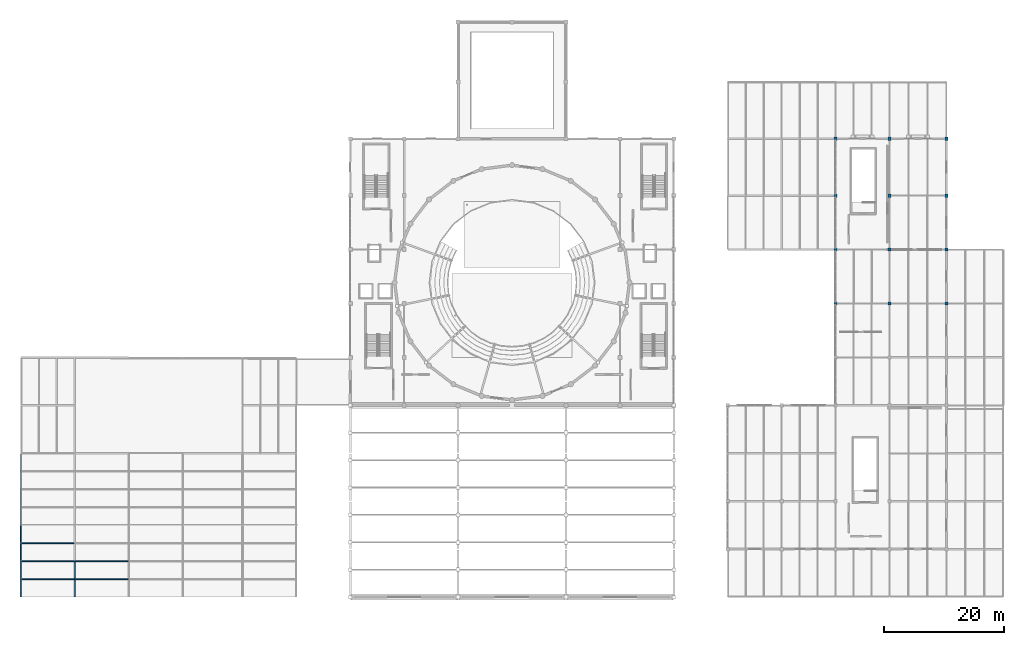
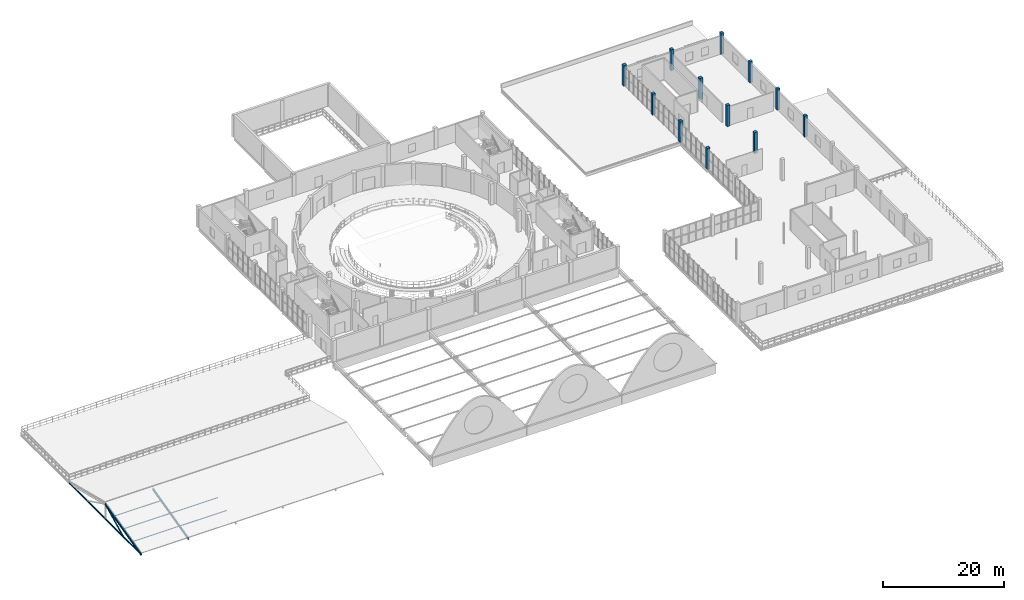
# One storey, part 5 of 54: 12 columns, 7 members, 2 beams.
"""IFC4 building model written with IfcOpenShell, lengths in metres."""

import ifcopenshell
import ifcopenshell.guid

model = None  # the IFC model being written
_history = None  # IfcOwnerHistory: only IFC2X3 demands one
_inside = {}  # id of a spatial element -> (the spatial element, [elements in it])
_under = {}  # id of a project, library or spatial element -> (it, [spatial elements below it])
_declared = {}  # id of a project -> (the project, [libraries it declares])
_typed = {}  # id of a type object -> (the type object, [elements of that type])
_made_of = {}  # id of a material, layer set ... -> (it, [elements and type objects made of it])


def new_model(schema):
    """Start an empty IFC model of exactly this schema.

    Asked for "IFC4X3", IfcOpenShell would pick the latest addendum, in which some entities
    have other attributes; the version numbers below select the first issue.
    IFC2X3 requires an IfcOwnerHistory on every rooted entity: one is made here for all.
    """
    global model, _history
    if schema == "IFC4X3":
        model = ifcopenshell.file(schema_version=(4, 3, 0, 0))
    else:
        model = ifcopenshell.file(schema=schema)
    _inside.clear()
    _under.clear()
    _declared.clear()
    _typed.clear()
    _made_of.clear()
    _history = None
    if model.schema == "IFC2X3":
        org = make("IfcOrganization", Name="unknown")
        user = make(
            "IfcPersonAndOrganization",
            ThePerson=make("IfcPerson", FamilyName="unknown"),
            TheOrganization=org,
        )
        app = make(
            "IfcApplication",
            ApplicationDeveloper=org,
            Version="unknown",
            ApplicationFullName="unknown",
            ApplicationIdentifier="unknown",
        )
        _history = make(
            "IfcOwnerHistory",
            OwningUser=user,
            OwningApplication=app,
            ChangeAction="ADDED",
            CreationDate=0,
        )
    return model


def make(cls, **values):
    """One entity of the class cls with the attributes given. An attribute that is None is left unset."""
    return model.create_entity(
        cls, **{name: value for name, value in values.items() if value is not None}
    )


def rooted(cls, **values):
    """An entity with a GlobalId (a new one), such as an element, a storey or a relation."""
    return make(cls, GlobalId=ifcopenshell.guid.new(), OwnerHistory=_history, **values)


def si_unit(unit_type, name, prefix=None):
    """IfcSIUnit, for example si_unit("LENGTHUNIT", "METRE", prefix="MILLI")."""
    return make("IfcSIUnit", UnitType=unit_type, Prefix=prefix, Name=name)


def assignment(units):
    """IfcUnitAssignment: the units of a project."""
    return None if units is None else make("IfcUnitAssignment", Units=units)


def point(xyz):
    """IfcCartesianPoint."""
    return None if xyz is None else make("IfcCartesianPoint", Coordinates=xyz)


def direction(xyz):
    """IfcDirection."""
    return None if xyz is None else make("IfcDirection", DirectionRatios=xyz)


def frame(location, z_axis=None, x_axis=None):
    """IfcAxis2Placement3D, a coordinate frame: its origin and axes. An axis left out is left unset."""
    return make(
        "IfcAxis2Placement3D",
        Location=point(location),
        Axis=direction(z_axis),
        RefDirection=direction(x_axis),
    )


def frame_2d(location, x_axis=None):
    """IfcAxis2Placement2D, a coordinate frame in the plane: its origin and x axis."""
    return make(
        "IfcAxis2Placement2D", Location=point(location), RefDirection=direction(x_axis)
    )


def origin():
    """The frame at (0, 0, 0) with its axes left unset."""
    return frame((0.0, 0.0, 0.0))


def origin_2d():
    """The frame at (0, 0) in the plane with its x axis left unset."""
    return frame_2d((0.0, 0.0))


def place(relative_to, where):
    """IfcLocalPlacement: puts the frame where relative to a parent placement (None: the world)."""
    return make(
        "IfcLocalPlacement", PlacementRelTo=relative_to, RelativePlacement=where
    )


def context(
    kind, dimensions, precision=None, world=None, true_north=None, identifier=None
):
    """IfcGeometricRepresentationContext, for example the 3D "Model" context."""
    return make(
        "IfcGeometricRepresentationContext",
        ContextIdentifier=identifier,
        ContextType=kind,
        CoordinateSpaceDimension=dimensions,
        Precision=precision,
        WorldCoordinateSystem=world,
        TrueNorth=true_north,
    )


def subcontext(parent, identifier, kind, view, scale=None):
    """IfcGeometricRepresentationSubContext, for example "Body" below "Model"."""
    return make(
        "IfcGeometricRepresentationSubContext",
        ContextIdentifier=identifier,
        ContextType=kind,
        ParentContext=parent,
        TargetScale=scale,
        TargetView=view,
    )


def project(units=None, contexts=None):
    """IfcProject with its units and contexts."""
    return rooted(
        "IfcProject",
        Name="project",
        RepresentationContexts=contexts,
        UnitsInContext=assignment(units),
    )


def spatial(cls, under=None, at=None, **own):
    """A site, building, storey or space (cls), placed at a placement, below another one or the project."""
    s = rooted(cls, ObjectPlacement=at, **own)
    if under is not None:
        _under.setdefault(under.id(), (under, []))[1].append(s)
    return s


def profile(cls, at=None, kind="AREA", **sizes):
    """A parametric profile (cls). Its sizes go by their IFC names, for example OverallWidth=200.0."""
    return make(cls, ProfileType=kind, Position=at, **sizes)


def rectangle(**sizes):
    """IfcRectangleProfileDef."""
    return profile("IfcRectangleProfileDef", **sizes)


def hollow_rectangle(**sizes):
    """IfcRectangleHollowProfileDef."""
    return profile("IfcRectangleHollowProfileDef", **sizes)


def hollow_circle(**sizes):
    """IfcCircleHollowProfileDef."""
    return profile("IfcCircleHollowProfileDef", **sizes)


def i_section(**sizes):
    """IfcIShapeProfileDef."""
    return profile("IfcIShapeProfileDef", **sizes)


def extrude(swept, where, along, depth):
    """IfcExtrudedAreaSolid: the profile swept, set in the frame where, extruded along a direction by depth."""
    return make(
        "IfcExtrudedAreaSolid",
        SweptArea=swept,
        Position=where,
        ExtrudedDirection=direction(along),
        Depth=depth,
    )


def shape(context_of_items, identifier, shape_type, items):
    """IfcShapeRepresentation: the items that make up one representation, for example the "Body"."""
    return make(
        "IfcShapeRepresentation",
        ContextOfItems=context_of_items,
        RepresentationIdentifier=identifier,
        RepresentationType=shape_type,
        Items=items,
    )


def material(Name=None, Category=None):
    """IfcMaterial."""
    return make("IfcMaterial", Name=Name, Category=Category)


def material_profile(
    of_material, cross_section, Name=None, Category=None, Priority=None
):
    """IfcMaterialProfile: a cross section and its material."""
    return make(
        "IfcMaterialProfile",
        Name=Name,
        Material=of_material,
        Profile=cross_section,
        Priority=Priority,
        Category=Category,
    )


def profile_set(profiles, Name=None, composite=None):
    """IfcMaterialProfileSet."""
    return make(
        "IfcMaterialProfileSet",
        Name=Name,
        MaterialProfiles=profiles,
        CompositeProfile=composite,
    )


def made_of(thing, what):
    """Note that an element or type object is made of a material, layer set ...; save() writes the relation."""
    if what is not None:
        _made_of.setdefault(what.id(), (what, []))[1].append(thing)
    return thing


def type_object(cls, material=None, **own):
    """A type object (cls), such as IfcWallType, which elements share."""
    return made_of(rooted(cls, **own), material)


def element(
    cls,
    number,
    at=None,
    inside=None,
    cuts=None,
    type_object=None,
    material=None,
    context=None,
    identifier="Body",
    shape_type=None,
    held_by="IfcProductDefinitionShape",
    body=None,
    shapes=None,
    **own,
):
    """One element of the class cls, such as IfcWall. Its Tag is "e" and its number.

    at: its placement. inside: the storey or other place that contains it. cuts: it is an
    opening in that element (IfcRelVoidsElement). A single representation is given by context,
    identifier, shape_type and body (its items); several are given by shapes. held_by: the class
    of the entity that holds the representations. save() writes the other relations.
    """
    e = rooted(cls, Tag="e%d" % number, ObjectPlacement=at, **own)
    if body is not None:
        shapes = [shape(context, identifier, shape_type, body)]
    if shapes is not None:
        e.Representation = make(held_by, Representations=shapes)
    if inside is not None:
        _inside.setdefault(inside.id(), (inside, []))[1].append(e)
    if cuts is not None:
        rooted(
            "IfcRelVoidsElement", RelatingBuildingElement=cuts, RelatedOpeningElement=e
        )
    if type_object is not None:
        _typed.setdefault(type_object.id(), (type_object, []))[1].append(e)
    return made_of(e, material)


def aggregate(whole, parts):
    """IfcRelAggregates: a whole, such as a stair, and the parts it consists of."""
    return rooted("IfcRelAggregates", RelatingObject=whole, RelatedObjects=parts)


def save(model, path):
    """Write the relations noted so far, then the file.

    IfcRelAggregates (storeys below a building ...), IfcRelContainedInSpatialStructure (elements
    in a storey), IfcRelDefinesByType, IfcRelAssociatesMaterial and IfcRelDeclares: one each for
    every whole, place, type object, material and project.
    """
    for whole, parts in _under.values():
        aggregate(whole, parts)
    for where, things in _inside.values():
        rooted(
            "IfcRelContainedInSpatialStructure",
            RelatedElements=things,
            RelatingStructure=where,
        )
    for kind, things in _typed.values():
        rooted("IfcRelDefinesByType", RelatedObjects=things, RelatingType=kind)
    for what, things in _made_of.values():
        rooted("IfcRelAssociatesMaterial", RelatedObjects=things, RelatingMaterial=what)
    for by, libraries in _declared.values():
        rooted("IfcRelDeclares", RelatingContext=by, RelatedDefinitions=libraries)
    model.write(path)


model = new_model("IFC4")

# Units and contexts
model_context = context("Model", 3, precision=1e-05, world=origin(), true_north=direction((0.0, 1.0)))
body_context = subcontext(model_context, "Body", "Model", "MODEL_VIEW")
ifc_project = project(units=[si_unit("LENGTHUNIT", "METRE"), si_unit("AREAUNIT", "SQUARE_METRE"), si_unit("VOLUMEUNIT", "CUBIC_METRE"), si_unit("PLANEANGLEUNIT", "RADIAN"), si_unit("MASSUNIT", "GRAM", prefix="KILO")], contexts=[model_context])

# Site, building, storey
site_placement = place(None, origin())
site = spatial("IfcSite", under=ifc_project, at=site_placement, CompositionType="ELEMENT")
building_placement = place(site_placement, origin())
building = spatial("IfcBuilding", under=site, at=building_placement, Name="Marnock Terrace Opera House", CompositionType="ELEMENT")
storey_placement = place(building_placement, frame((0.0, 0.0, 19.199951171875)))
storey = spatial("IfcBuildingStorey", under=building, at=storey_placement, Name="L04", CompositionType="ELEMENT", Elevation=19.199951171875)

# Columns
ifc_material_1 = material(Name="Concrete N40 (f'c = 40 MPa)", Category="concrete")
ifc_material_profile_1 = material_profile(ifc_material_1, rectangle(XDim=0.550048828125, YDim=0.550048828125, at=origin_2d()))
ifc_profile_set_1 = profile_set([ifc_material_profile_1], Name="Concrete N40 (f'c = 40 MPa)")
column_type = type_object("IfcColumnType", Name="COL-RC550", PredefinedType="COLUMN", material=ifc_profile_set_1)
for number, where, z_axis, x_axis, name in (
    (1, (136.0, 57.0, 0.0), (0.0, 0.0, 1.0), (1.0, 0.0, 0.0), "L04 column at (136.0, 57.0)"),
    (2, (136.0, 66.0, 0.0), (0.0, 0.0, 1.0), (1.0, 0.0, 0.0), "L04 column at (136.0, 66.0)"),
    (3, (136.0, 75.0, 0.0), (0.0, 0.0, 1.0), (1.0, 0.0, 0.0), "L04 column at (136.0, 75.0)"),
    (4, (136.0, 84.5, 0.0), (0.0, 0.0, 1.0), (1.0, 0.0, 0.0), "L04 column at (136.0, 84.5)"),
    (5, (145.0, 57.0, 0.0), (0.0, 0.0, 1.0), (1.0, 0.0, 0.0), "L04 column at (145.0, 57.0)"),
    (6, (145.0, 66.0, 0.0), (0.0, 0.0, 1.0), (1.0, 0.0, 0.0), "L04 column at (145.0, 66.0)"),
    (7, (145.0, 75.0, 0.0), (0.0, 0.0, 1.0), (1.0, 0.0, 0.0), "L04 column at (145.0, 75.0)"),
    (8, (145.0, 84.5, 0.0), (0.0, 0.0, 1.0), (1.0, 0.0, 0.0), "L04 column at (145.0, 84.5)"),
    (9, (154.5, 57.0, 0.0), (0.0, 0.0, 1.0), (1.0, 0.0, 0.0), "L04 column at (154.5, 57.0)"),
    (10, (154.5, 66.0, 0.0), (0.0, 0.0, 1.0), (1.0, 0.0, 0.0), "L04 column at (154.5, 66.0)"),
    (11, (154.5, 75.0, 0.0), (0.0, 0.0, 1.0), (1.0, 0.0, 0.0), "L04 column at (154.5, 75.0)"),
    (12, (154.5, 84.5, 0.0), (0.0, 0.0, 1.0), (1.0, 0.0, 0.0), "L04 column at (154.5, 84.5)"),
):
    element("IfcColumn", number, at=place(storey_placement, frame(where, z_axis=z_axis, x_axis=x_axis)), inside=storey, type_object=column_type, Name=name, PredefinedType="COLUMN", context=body_context, shape_type="SweptSolid", body=[
        extrude(rectangle(XDim=0.550048828125, YDim=0.550048828125, at=origin_2d()), origin(), (0.0, 0.0, 1.0), 4.25),
    ])

# Beams
ifc_material_2 = material(Name="Steel Grade 350 (AS/NZS 3679.1)", Category="steel")
ifc_material_profile_2 = material_profile(ifc_material_2, i_section(OverallWidth=0.19091796875, OverallDepth=0.46044921875, WebThickness=0.010009765625, FlangeThickness=0.01611328125, FilletRadius=0.011474609375, at=origin_2d()))
ifc_profile_set_2 = profile_set([ifc_material_profile_2], Name="Steel Grade 350 (AS/NZS 3679.1)")
beam_type = type_object("IfcBeamType", Name="BM-GIRD-460A", PredefinedType="BEAM", material=ifc_profile_set_2)
for number, where, z_axis, x_axis, name in (
    (13, (0.0, 8.080078125, -0.435546875), (0.0, 0.970520166592, 0.241019929132), (-1.0, 0.0, 0.0), "Rehearsal Wing south pitched rafter"),
    (14, (9.0, 8.080078125, -0.435546875), (0.0, 0.970520166592, 0.241019929132), (-1.0, 0.0, 0.0), "Rehearsal Wing south pitched rafter"),
):
    element("IfcBeam", number, at=place(storey_placement, frame(where, z_axis=z_axis, x_axis=x_axis)), inside=storey, type_object=beam_type, Name=name, PredefinedType="BEAM", context=body_context, shape_type="SweptSolid", body=[
        extrude(i_section(OverallWidth=0.19091796875, OverallDepth=0.46044921875, WebThickness=0.010009765625, FlangeThickness=0.01611328125, FilletRadius=0.011474609375, at=origin_2d()), origin(), (0.0, 0.0, 1.0), 12.281982421875),
    ])

# Members
ifc_material_3 = material(Name="Cold-formed Steel Grade C350L0 (AS/NZS 1163)", Category="steel")
ifc_material_profile_3 = material_profile(ifc_material_3, hollow_rectangle(XDim=0.10009765625, YDim=0.199951171875, WallThickness=0.008056640625, InnerFilletRadius=0.008056640625, OuterFilletRadius=0.01611328125, at=origin_2d()))
ifc_profile_set_3 = profile_set([ifc_material_profile_3], Name="Cold-formed Steel Grade C350L0 (AS/NZS 1163)")
member_type_1 = type_object("IfcMemberType", Name="MEM-ROOF-PURL", PredefinedType="PURLIN", material=ifc_profile_set_3)
for number, where, z_axis, x_axis, name in (
    (15, (0.0400390625, 11.0, 0.428466796875), (1.0, 0.0, 0.0), (0.0, 0.970142684147, 0.242534889029), "Rehearsal Wing roof purlin Y=11 bay 1"),
    (16, (9.0400390625, 11.0, 0.428466796875), (1.0, 0.0, 0.0), (0.0, 0.970142684147, 0.242534889029), "Rehearsal Wing roof purlin Y=11 bay 2"),
    (17, (0.0400390625, 14.0, 1.178466796875), (1.0, 0.0, 0.0), (0.0, 0.970142684147, 0.242534889029), "Rehearsal Wing roof purlin Y=14 bay 1"),
    (18, (9.0400390625, 14.0, 1.178466796875), (1.0, 0.0, 0.0), (0.0, 0.970142684147, 0.242534889029), "Rehearsal Wing roof purlin Y=14 bay 2"),
    (19, (0.0400390625, 17.0, 1.928466796875), (1.0, 0.0, 0.0), (0.0, 0.970142684147, 0.242534889029), "Rehearsal Wing roof purlin Y=17 bay 1"),
):
    element("IfcMember", number, at=place(storey_placement, frame(where, z_axis=z_axis, x_axis=x_axis)), inside=storey, type_object=member_type_1, Name=name, PredefinedType="PURLIN", context=body_context, shape_type="SweptSolid", body=[
        extrude(hollow_rectangle(XDim=0.10009765625, YDim=0.199951171875, WallThickness=0.008056640625, InnerFilletRadius=0.008056640625, OuterFilletRadius=0.01611328125, at=origin_2d()), origin(), (0.0, 0.0, 1.0), 8.919921875),
    ])
ifc_material_profile_4 = material_profile(ifc_material_3, hollow_rectangle(XDim=0.199951171875, YDim=0.199951171875, WallThickness=0.009033203125, InnerFilletRadius=0.009033203125, OuterFilletRadius=0.01806640625, at=origin_2d()))
ifc_profile_set_4 = profile_set([ifc_material_profile_4], Name="Cold-formed Steel Grade C350L0 (AS/NZS 1163)")
member_type_2 = type_object("IfcMemberType", Name="MEM-TRUSS-WEB2", PredefinedType="BRACE", material=ifc_profile_set_4)
member_1_placement = place(storey_placement, frame((0.0, 14.0, -0.435546875), z_axis=(0.0, 0.896793722632, 0.442448888628), x_axis=(-1.0, 0.0, 0.0)))
element("IfcMember", 20, at=member_1_placement, inside=storey, type_object=member_type_2, Name="Rehearsal Wing roof truss diagonal S", PredefinedType="BRACE", context=body_context, shape_type="SweptSolid", body=[
    extrude(hollow_rectangle(XDim=0.199951171875, YDim=0.199951171875, WallThickness=0.009033203125, InnerFilletRadius=0.009033203125, OuterFilletRadius=0.01806640625, at=origin_2d()), origin(), (0.0, 0.0, 1.0), 6.6904296875),
])
ifc_material_profile_5 = material_profile(ifc_material_3, hollow_circle(Radius=0.136474609375, WallThickness=0.00927734375, at=origin_2d()))
ifc_profile_set_5 = profile_set([ifc_material_profile_5], Name="Cold-formed Steel Grade C350L0 (AS/NZS 1163)")
member_type_3 = type_object("IfcMemberType", Name="MEM-VAULT-TIE", PredefinedType="COLLAR", material=ifc_profile_set_5)
member_2_placement = place(storey_placement, frame((0.0, 8.080078125, -0.435546875), z_axis=(0.0, 1.0, 0.0), x_axis=(-1.0, 0.0, 0.0)))
element("IfcMember", 21, at=member_2_placement, inside=storey, type_object=member_type_3, Name="Rehearsal Wing roof truss tie chord", PredefinedType="COLLAR", context=body_context, shape_type="SweptSolid", body=[
    extrude(hollow_circle(Radius=0.136474609375, WallThickness=0.00927734375, at=origin_2d()), origin(), (0.0, 0.0, 1.0), 23.83984375),
])

save(model, "model.ifc")
